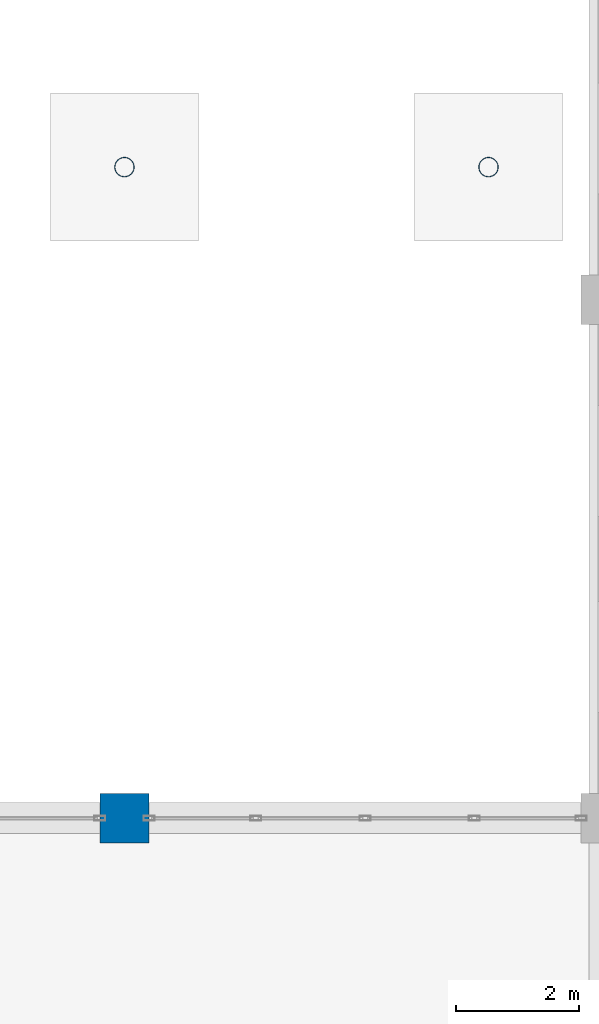
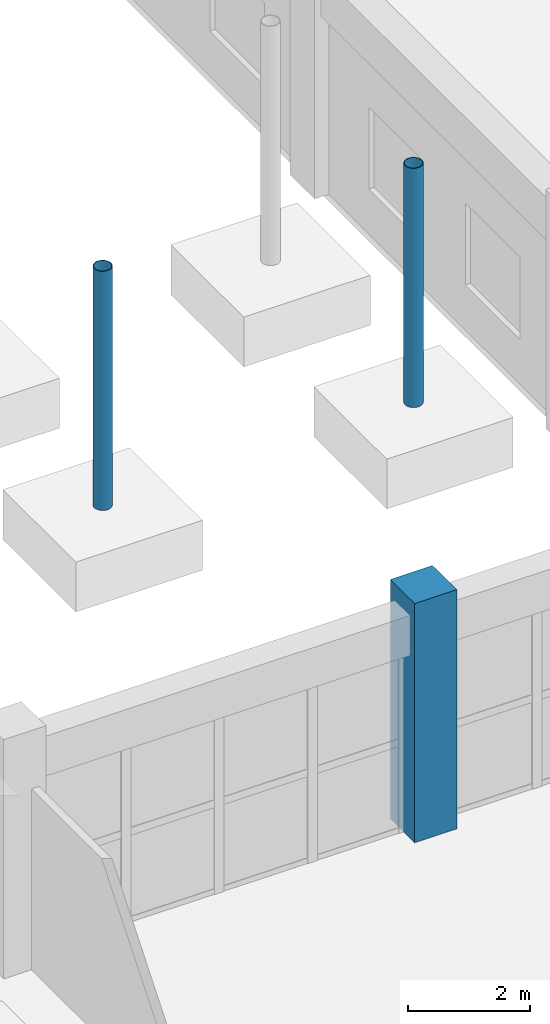
# One storey, part 4 of 139: 3 columns.
"""IFC4 building model written with IfcOpenShell, lengths in metres."""

from ifc_helpers import new_model, si_unit, direction, frame, origin, origin_2d, place, context, subcontext, project, spatial, rectangle, hollow_circle, extrude, material, material_profile, profile_set, type_object, element, save


model = new_model("IFC4")

# Units and contexts
model_context = context("Model", 3, precision=1e-05, world=origin(), true_north=direction((0.0, 1.0)))
body_context = subcontext(model_context, "Body", "Model", "MODEL_VIEW")
ifc_project = project(units=[si_unit("LENGTHUNIT", "METRE"), si_unit("AREAUNIT", "SQUARE_METRE"), si_unit("VOLUMEUNIT", "CUBIC_METRE"), si_unit("PLANEANGLEUNIT", "RADIAN"), si_unit("MASSUNIT", "GRAM", prefix="KILO")], contexts=[model_context])

# Site, building, storey
site_placement = place(None, origin())
site = spatial("IfcSite", under=ifc_project, at=site_placement, CompositionType="ELEMENT")
building_placement = place(site_placement, origin())
building = spatial("IfcBuilding", under=site, at=building_placement, Name="Zizhar Promenade General Hospital", CompositionType="ELEMENT")
storey_placement = place(building_placement, origin())
storey = spatial("IfcBuildingStorey", under=building, at=storey_placement, Name="L00", CompositionType="ELEMENT", Elevation=0.0)

# Columns
ifc_material_1 = material(Name="Concrete C40/50", Category="concrete")
ifc_material_profile_1 = material_profile(ifc_material_1, rectangle(XDim=0.800048828125, YDim=0.800048828125, at=origin_2d()))
ifc_profile_set_1 = profile_set([ifc_material_profile_1], Name="Concrete C40/50")
column_type_1 = type_object("IfcColumnType", Name="COL-RC-800", PredefinedType="COLUMN", material=ifc_profile_set_1)
column_placement = place(storey_placement, frame((117.0, 50.39990234375, 0.0), z_axis=(0.0, 0.0, 1.0), x_axis=(1.0, 0.0, 0.0)))
element("IfcColumn", 1, at=column_placement, inside=storey, type_object=column_type_1, Name="Column 16-G (L00)", PredefinedType="COLUMN", context=body_context, shape_type="SweptSolid", body=[
    extrude(rectangle(XDim=0.800048828125, YDim=0.800048828125, at=origin_2d()), origin(), (0.0, 0.0, 1.0), 4.800048828125),
])
ifc_material_2 = material(Name="Steel S355", Category="steel")
ifc_material_profile_2 = material_profile(ifc_material_2, hollow_circle(Radius=0.161865234375, WallThickness=0.012451171875, at=origin_2d()))
ifc_profile_set_2 = profile_set([ifc_material_profile_2], Name="Steel S355")
column_type_2 = type_object("IfcColumnType", Name="COL-STL-CHS324", PredefinedType="COLUMN", material=ifc_profile_set_2)
for number, where, z_axis, x_axis, name in (
    (2, (117.0, 60.949951171875, 0.0), (0.0, 0.0, 1.0), (1.0, 0.0, 0.0), "SB-1 Courtyard Pier 3S (L00)"),
    (3, (122.89990234375, 60.949951171875, 0.0), (0.0, 0.0, 1.0), (1.0, 0.0, 0.0), "SB-1 Abutment Pier 2S (L00)"),
):
    element("IfcColumn", number, at=place(storey_placement, frame(where, z_axis=z_axis, x_axis=x_axis)), inside=storey, type_object=column_type_2, Name=name, PredefinedType="COLUMN", context=body_context, shape_type="SweptSolid", body=[
        extrude(hollow_circle(Radius=0.161865234375, WallThickness=0.012451171875, at=origin_2d()), origin(), (0.0, 0.0, 1.0), 4.800048828125),
    ])

save(model, "model.ifc")
